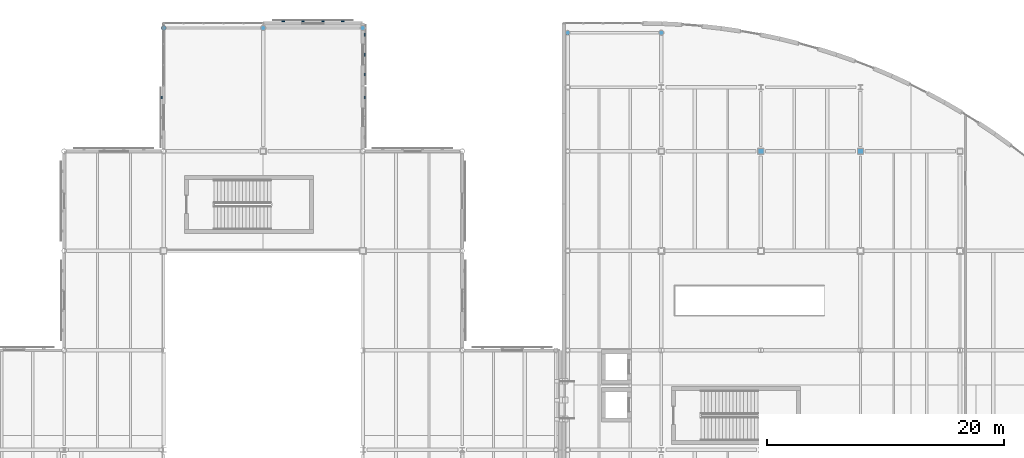
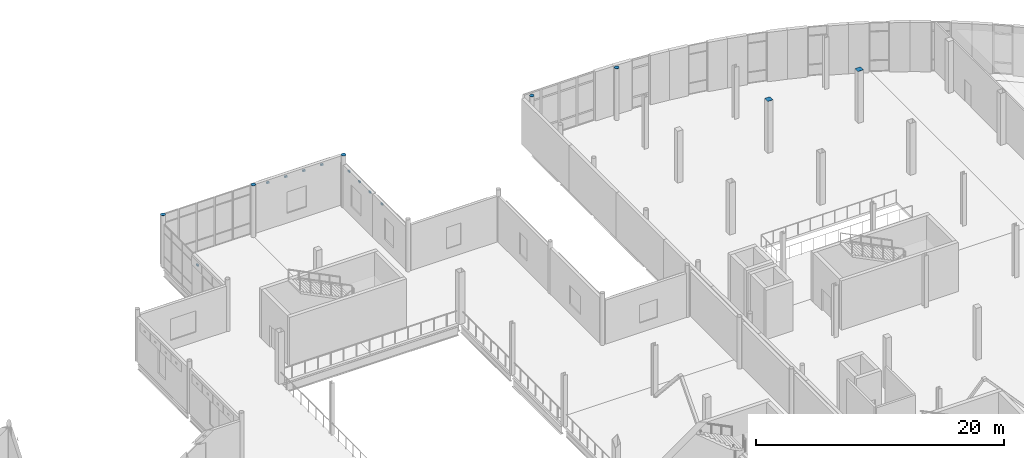
# One storey, part 83 of 104: 16 discrete accessories.
"""IFC4 building model written with IfcOpenShell, lengths in metres."""

from ifc_helpers import new_model, si_unit, direction, frame, origin, origin_2d, place, context, subcontext, project, spatial, rectangle, circle, extrude, material, type_object, element, save


model = new_model("IFC4")

# Units and contexts
model_context = context("Model", 3, precision=1e-05, world=origin(), true_north=direction((0.0, 1.0)))
body_context = subcontext(model_context, "Body", "Model", "MODEL_VIEW")
ifc_project = project(units=[si_unit("LENGTHUNIT", "METRE"), si_unit("AREAUNIT", "SQUARE_METRE"), si_unit("VOLUMEUNIT", "CUBIC_METRE"), si_unit("PLANEANGLEUNIT", "RADIAN"), si_unit("MASSUNIT", "GRAM", prefix="KILO"), si_unit("THERMODYNAMICTEMPERATUREUNIT", "KELVIN")], contexts=[model_context])

# Site, building, storey
site_placement = place(None, origin())
site = spatial("IfcSite", under=ifc_project, at=site_placement, CompositionType="ELEMENT")
building_placement = place(site_placement, origin())
building = spatial("IfcBuilding", under=site, at=building_placement, Name="Lustrewick Department Store", CompositionType="ELEMENT")
storey_placement = place(building_placement, frame((0.0, 0.0, 11.39990234375)))
storey = spatial("IfcBuildingStorey", under=building, at=storey_placement, Name="L03", CompositionType="ELEMENT", Elevation=11.39990234375)

# Discrete accessories
ifc_material_1 = material(Name="Anodized filigree aluminium 6061-T6", Category="aluminium")
discrete_accessory_type_1 = type_object("IfcDiscreteAccessoryType", Name="BRK-FIL", PredefinedType="BRACKET", material=ifc_material_1)
for number, where, z_axis, x_axis, name in (
    (1, (92.590087890625, 105.32861328125, 3.6611328125), (0.0, 0.0, 1.0), (0.0, 1.0, 0.0), "L03 Filigree Stand-Off Bracket 0327"),
    (2, (92.60009765625, 107.26953125, 3.6611328125), (0.0, 0.0, 1.0), (0.0, 1.0, 0.0), "L03 Filigree Stand-Off Bracket 0328"),
    (3, (92.60009765625, 108.949462890625, 3.6611328125), (0.0, 0.0, 1.0), (0.0, 1.0, 0.0), "L03 Filigree Stand-Off Bracket 0329"),
    (4, (92.60009765625, 110.62939453125, 3.6611328125), (0.0, 0.0, 1.0), (0.0, 1.0, 0.0), "L03 Filigree Stand-Off Bracket 0330"),
    (5, (90.719970703125, 111.800048828125, 4.26513671875), (0.0, 0.0, 1.0), (-1.0, 0.0, 0.0), "L03 Filigree Stand-Off Bracket 0331"),
    (6, (89.0400390625, 111.800048828125, 4.26513671875), (0.0, 0.0, 1.0), (-1.0, 0.0, 0.0), "L03 Filigree Stand-Off Bracket 0332"),
    (7, (87.360107421875, 111.800048828125, 4.26513671875), (0.0, 0.0, 1.0), (-1.0, 0.0, 0.0), "L03 Filigree Stand-Off Bracket 0333"),
    (8, (85.679931640625, 111.800048828125, 4.26513671875), (0.0, 0.0, 1.0), (-1.0, 0.0, 0.0), "L03 Filigree Stand-Off Bracket 0334"),
    (9, (75.409912109375, 105.32861328125, 3.6611328125), (0.0, 0.0, 1.0), (0.0, -1.0, 0.0), "L03 Filigree Stand-Off Bracket 0335"),
):
    element("IfcDiscreteAccessory", number, at=place(storey_placement, frame(where, z_axis=z_axis, x_axis=x_axis)), inside=storey, type_object=discrete_accessory_type_1, Name=name, PredefinedType="BRACKET", context=body_context, shape_type="SweptSolid", body=[
        extrude(rectangle(XDim=0.239990234375, YDim=0.139892578125, at=origin_2d()), origin(), (0.0, 0.0, 1.0), 0.159912109375),
    ])
ifc_material_2 = material(Name="Structural steel Q355C", Category="steel")
discrete_accessory_type_2 = type_object("IfcDiscreteAccessoryType", Name="ECP-01", PredefinedType="USERDEFINED", material=ifc_material_2)
for number, where, z_axis, x_axis, name in (
    (10, (92.39990234375, 111.199951171875, 5.093994140625), (0.0, 0.0, 1.0), (1.0, 0.0, 0.0), "L03 Welded Hollow-Section End-Cap Plate ECP-01"),
    (11, (84.0, 111.199951171875, 5.093994140625), (0.0, 0.0, 1.0), (1.0, 0.0, 0.0), "L03 Welded Hollow-Section End-Cap Plate ECP-01"),
    (12, (75.60009765625, 111.199951171875, 5.093994140625), (0.0, 0.0, 1.0), (1.0, 0.0, 0.0), "L03 Welded Hollow-Section End-Cap Plate ECP-01"),
):
    element("IfcDiscreteAccessory", number, at=place(storey_placement, frame(where, z_axis=z_axis, x_axis=x_axis)), inside=storey, type_object=discrete_accessory_type_2, Name=name, ObjectType="END_CAP_PLATE", PredefinedType="USERDEFINED", context=body_context, shape_type="SweptSolid", body=[
        extrude(circle(Radius=0.202880859375, at=origin_2d()), origin(), (0.0, 0.0, 1.0), 0.01611328125),
    ])
for number, where, z_axis, x_axis, name in (
    (13, (126.0, 100.800048828125, 5.093994140625), (0.0, 0.0, 1.0), (1.0, 0.0, 0.0), "L03 Welded Hollow-Section End-Cap Plate ECP-01"),
    (14, (134.39990234375, 100.800048828125, 5.093994140625), (0.0, 0.0, 1.0), (1.0, 0.0, 0.0), "L03 Welded Hollow-Section End-Cap Plate ECP-01"),
):
    element("IfcDiscreteAccessory", number, at=place(storey_placement, frame(where, z_axis=z_axis, x_axis=x_axis)), inside=storey, type_object=discrete_accessory_type_2, Name=name, ObjectType="END_CAP_PLATE", PredefinedType="USERDEFINED", context=body_context, shape_type="SweptSolid", body=[
        extrude(rectangle(XDim=0.5, YDim=0.5, at=origin_2d()), origin(), (0.0, 0.0, 1.0), 0.01611328125),
    ])
discrete_accessory_1_placement = place(storey_placement, frame((109.699951171875, 110.800048828125, 5.093994140625), z_axis=(0.0, 0.0, 1.0), x_axis=(1.0, 0.0, 0.0)))
element("IfcDiscreteAccessory", 15, at=discrete_accessory_1_placement, inside=storey, type_object=discrete_accessory_type_2, Name="L03 Welded Hollow-Section End-Cap Plate ECP-01", ObjectType="END_CAP_PLATE", PredefinedType="USERDEFINED", context=body_context, shape_type="SweptSolid", body=[
    extrude(circle(Radius=0.1884765625, at=origin_2d()), origin(), (0.0, 0.0, 1.0), 0.01611328125),
])
discrete_accessory_2_placement = place(storey_placement, frame((117.60009765625, 110.800048828125, 5.093994140625), z_axis=(0.0, 0.0, 1.0), x_axis=(1.0, 0.0, 0.0)))
element("IfcDiscreteAccessory", 16, at=discrete_accessory_2_placement, inside=storey, type_object=discrete_accessory_type_2, Name="L03 Welded Hollow-Section End-Cap Plate ECP-01", ObjectType="END_CAP_PLATE", PredefinedType="USERDEFINED", context=body_context, shape_type="SweptSolid", body=[
    extrude(circle(Radius=0.202880859375, at=origin_2d()), origin(), (0.0, 0.0, 1.0), 0.01611328125),
])

save(model, "model.ifc")
